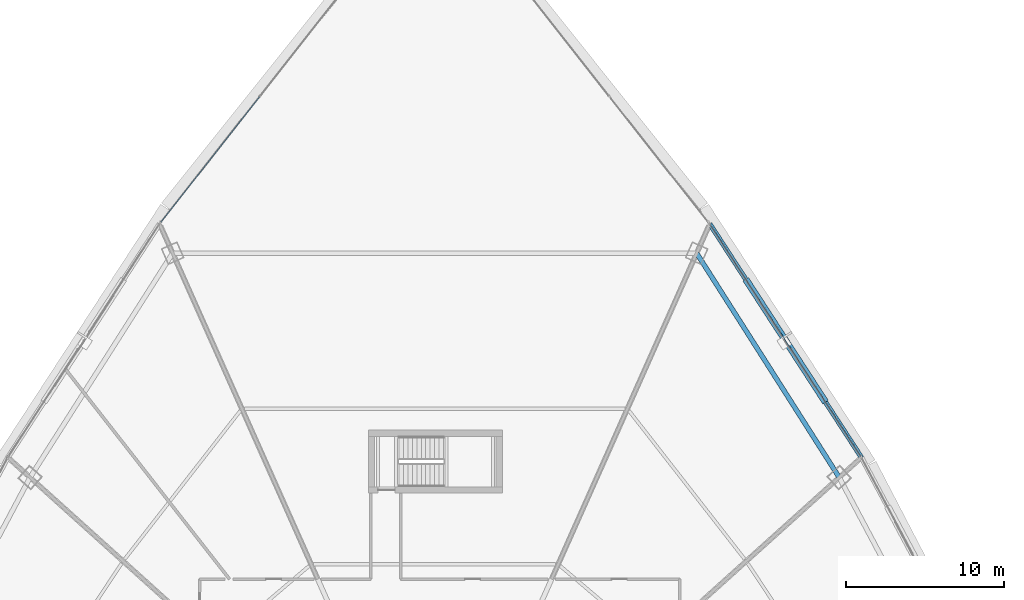
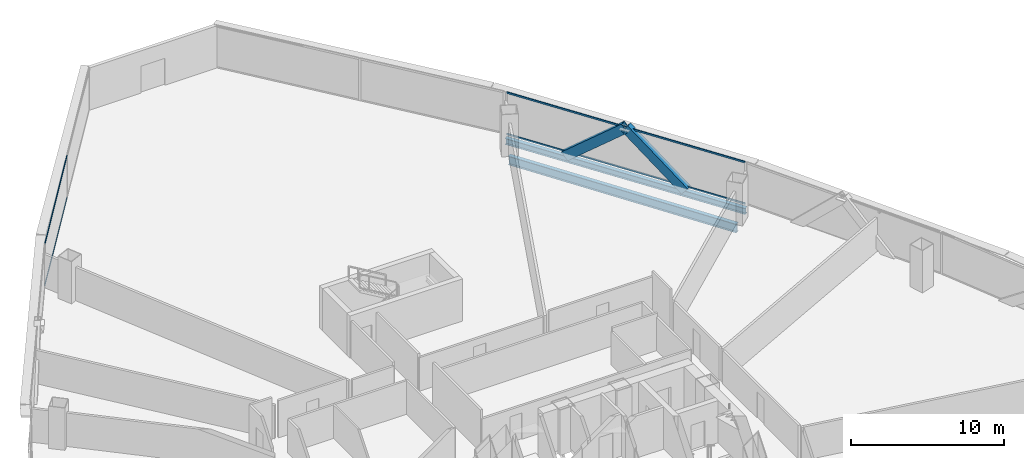
# One storey, part 24 of 38: 6 members, 2 beams, 2 elements without a shape of their own.
"""IFC4 building model written with IfcOpenShell, lengths in metres."""

from ifc_helpers import new_model, si_unit, direction, frame, origin, origin_2d, place, context, subcontext, project, spatial, hollow_rectangle, i_section, extrude, source, transform, mapped, material, layer, layer_set, material_profile, profile_set, type_object, element, aggregate, save


model = new_model("IFC4")

# Units and contexts
model_context = context("Model", 3, precision=1e-05, world=origin(), true_north=direction((0.0, 1.0)))
body_context = subcontext(model_context, "Body", "Model", "MODEL_VIEW")
ifc_project = project(units=[si_unit("LENGTHUNIT", "METRE"), si_unit("AREAUNIT", "SQUARE_METRE"), si_unit("VOLUMEUNIT", "CUBIC_METRE"), si_unit("PLANEANGLEUNIT", "RADIAN"), si_unit("MASSUNIT", "GRAM", prefix="KILO"), si_unit("THERMODYNAMICTEMPERATUREUNIT", "KELVIN"), si_unit("POWERUNIT", "WATT")], contexts=[model_context])

# Site, building, storey
site_placement = place(None, origin())
site = spatial("IfcSite", under=ifc_project, at=site_placement, CompositionType="ELEMENT")
building_placement = place(site_placement, origin())
building = spatial("IfcBuilding", under=site, at=building_placement, Name="Yunzhuo Pagoda Commons", CompositionType="ELEMENT")
storey_placement = place(building_placement, frame((0.0, 0.0, 37.659912109375)))
storey = spatial("IfcBuildingStorey", under=building, at=storey_placement, Name="L09", CompositionType="ELEMENT", Elevation=37.659912109375)

# Beams
ifc_material_1 = material(Name="Structural steel Q355B", Category="steel")
ifc_material_profile_1 = material_profile(ifc_material_1, i_section(OverallWidth=0.300048828125, OverallDepth=0.699951171875, WebThickness=0.012939453125, FlangeThickness=0.02392578125, at=origin_2d()), Name="Structural steel Q355B")
ifc_profile_set_1 = profile_set([ifc_material_profile_1], Name="Structural steel Q355B")
beam_type_1 = type_object("IfcBeamType", Name="B-RG1 Beam HN 700x300x13x24", PredefinedType="BEAM", material=ifc_profile_set_1)
shared_shape_1 = source(origin(), body_context, "Body", "SweptSolid", [
    extrude(i_section(OverallWidth=0.300048828125, OverallDepth=0.699951171875, WebThickness=0.012939453125, FlangeThickness=0.02392578125, at=origin_2d()), origin(), (0.0, 0.0, 1.0), 16.843994140625),
])
beam_1_placement = place(storey_placement, frame((73.648681640625, 56.79443359375, -0.60986328125), z_axis=(-0.536558458992, 0.843863152462, 0.0), x_axis=(-0.843863152462, -0.536558458992, 0.0)))
element("IfcBeam", 1, at=beam_1_placement, inside=storey, type_object=beam_type_1, Name="L09 column-ring beam 7", PredefinedType="BEAM", context=body_context, shape_type="MappedRepresentation", body=[
    mapped(shared_shape_1, transform((0.0, 0.0, 0.0), scale=1.0)),
])
ifc_material_profile_2 = material_profile(ifc_material_1, i_section(OverallWidth=0.300048828125, OverallDepth=0.488037109375, WebThickness=0.010986328125, FlangeThickness=0.01806640625, at=origin_2d()), Name="Structural steel Q355B")
ifc_profile_set_2 = profile_set([ifc_material_profile_2], Name="Structural steel Q355B")
beam_type_2 = type_object("IfcBeamType", Name="B-SP1 Beam HM 488x300x11x18", PredefinedType="BEAM", material=ifc_profile_set_2)
shared_shape_2 = source(origin(), body_context, "Body", "SweptSolid", [
    extrude(i_section(OverallWidth=0.300048828125, OverallDepth=0.488037109375, WebThickness=0.010986328125, FlangeThickness=0.01806640625, at=origin_2d()), origin(), (0.0, 0.0, 1.0), 17.656494140625),
])
beam_2_placement = place(storey_placement, frame((75.056640625, 58.061767578125, -0.50390625), z_axis=(-0.544679207435, 0.838644478303, 0.0), x_axis=(-0.838644478303, -0.544679207435, 0.0)))
element("IfcBeam", 2, at=beam_2_placement, inside=storey, type_object=beam_type_2, Name="L09 facade edge spandrel beam F2.3", PredefinedType="BEAM", context=body_context, shape_type="MappedRepresentation", body=[
    mapped(shared_shape_2, transform((0.0, 0.0, 0.0), scale=1.0)),
])

# Members
ifc_material_2 = material(Name="Structural steel Q420B", Category="steel")
ifc_material_profile_3 = material_profile(ifc_material_2, hollow_rectangle(XDim=0.419921875, YDim=0.719970703125, WallThickness=0.028076171875, at=origin_2d()), Name="Structural steel Q420B")
ifc_profile_set_3 = profile_set([ifc_material_profile_3], Name="Structural steel Q420B")
member_type_1 = type_object("IfcMemberType", Name="M-DL1 Brace BOX 720x420x28", PredefinedType="BRACE", material=ifc_profile_set_3)
shared_shape_3 = source(origin(), body_context, "Body", "SweptSolid", [
    extrude(hollow_rectangle(XDim=0.419921875, YDim=0.719970703125, WallThickness=0.028076171875, at=origin_2d()), origin(), (0.0, 0.0, 1.0), 5.71533203125),
])
member_1_placement = place(storey_placement, frame((67.843505859375, 69.167724609375, -0.260009765625), z_axis=(0.420679123782, -0.647763833573, 0.635162255434), x_axis=(0.838660885868, 0.544653943816, 0.0)))
element("IfcMember", 3, at=member_1_placement, inside=storey, type_object=member_type_1, Name="L09 facade diamond brace F2.3R", PredefinedType="BRACE", context=body_context, shape_type="MappedRepresentation", body=[
    mapped(shared_shape_3, transform((0.0, 0.0, 0.0), scale=1.0)),
])
shared_shape_4 = source(origin(), body_context, "Body", "SweptSolid", [
    extrude(hollow_rectangle(XDim=0.419921875, YDim=0.719970703125, WallThickness=0.028076171875, at=origin_2d()), origin(), (0.0, 0.0, 1.0), 5.715087890625),
])
member_2_placement = place(storey_placement, frame((72.652099609375, 61.763671875, -0.260009765625), z_axis=(-0.420690764353, 0.647739039387, 0.635179830947), x_axis=(-0.838644478303, -0.544679207435, 0.0)))
element("IfcMember", 4, at=member_2_placement, inside=storey, type_object=member_type_1, Name="L09 facade diamond brace F2.3L", PredefinedType="BRACE", context=body_context, shape_type="MappedRepresentation", body=[
    mapped(shared_shape_4, transform((0.0, 0.0, 0.0), scale=1.0)),
])

# Curtain wall, members
ifc_material_3 = material(Name="Anodized aluminium 6063-T6", Category="aluminium")
ifc_layer = layer(ifc_material_3, 0.1650390625)
ifc_layer_set = layer_set([ifc_layer], Name="Anodized aluminium 6063-T6")
curtain_wall_type = type_object("IfcCurtainWallType", Name="CW-LOW Low-Zone Ribbon Curtain Wall", PredefinedType="NOTDEFINED", material=ifc_layer_set)
curtain_wall_1_placement = place(storey_placement, origin())
curtain_wall_1 = element("IfcCurtainWall", 5, at=curtain_wall_1_placement, inside=storey, type_object=curtain_wall_type, Name="L09 curtain wall CW-L09-F2B4", PredefinedType="NOTDEFINED")
ifc_material_profile_4 = material_profile(ifc_material_3, hollow_rectangle(XDim=0.06005859375, YDim=0.139892578125, WallThickness=0.00341796875, at=origin_2d()), Name="Anodized aluminium 6063-T6")
ifc_profile_set_4 = profile_set([ifc_material_profile_4], Name="Anodized aluminium 6063-T6")
member_type_2 = type_object("IfcMemberType", Name="CW-LOW-T Transom RHS 140x60x3.5", PredefinedType="USERDEFINED", material=ifc_profile_set_4)
shared_shape_5 = source(origin(), body_context, "Body", "SweptSolid", [
    extrude(hollow_rectangle(XDim=0.06005859375, YDim=0.139892578125, WallThickness=0.00341796875, at=origin_2d()), origin(), (0.0, 0.0, 1.0), 17.5263671875),
])
member_3_placement = place(storey_placement, frame((75.02099609375, 58.1162109375, 0.030029296875), z_axis=(-0.544656342165, 0.838659328297, 0.0), x_axis=(-0.838659328297, -0.544656342165, 0.0)))
member_3 = element("IfcMember", 6, at=member_3_placement, type_object=member_type_2, Name="CW transom 1.1", ObjectType="TRANSOM", PredefinedType="USERDEFINED", context=body_context, shape_type="MappedRepresentation", body=[
    mapped(shared_shape_5, transform((0.0, 0.0, 0.0), scale=1.0)),
])
member_4_placement = place(storey_placement, frame((75.02099609375, 58.1162109375, 3.340087890625), z_axis=(-0.544656342165, 0.838659328297, 0.0), x_axis=(-0.838659328297, -0.544656342165, 0.0)))
member_4 = element("IfcMember", 7, at=member_4_placement, type_object=member_type_2, Name="CW transom 1.2", ObjectType="TRANSOM", PredefinedType="USERDEFINED", context=body_context, shape_type="MappedRepresentation", body=[
    mapped(shared_shape_5, transform((0.0, 0.0, 0.0), scale=1.0)),
])
aggregate(curtain_wall_1, [member_3, member_4])

curtain_wall_2_placement = place(storey_placement, origin())
curtain_wall_2 = element("IfcCurtainWall", 8, at=curtain_wall_2_placement, inside=storey, type_object=curtain_wall_type, Name="L09 curtain wall CW-L09-F3B1", PredefinedType="NOTDEFINED")
shared_shape_6 = source(origin(), body_context, "Body", "SweptSolid", [
    extrude(hollow_rectangle(XDim=0.06005859375, YDim=0.139892578125, WallThickness=0.00341796875, at=origin_2d()), origin(), (0.0, 0.0, 1.0), 10.116455078125),
])
member_5_placement = place(storey_placement, frame((36.904052734375, 80.928955078125, 0.030029296875), z_axis=(-0.618483204392, -0.785798018504, 0.0), x_axis=(0.785798018504, -0.618483204392, 0.0)))
member_5 = element("IfcMember", 9, at=member_5_placement, type_object=member_type_2, Name="CW transom 2.1", ObjectType="TRANSOM", PredefinedType="USERDEFINED", context=body_context, shape_type="MappedRepresentation", body=[
    mapped(shared_shape_6, transform((0.0, 0.0, 0.0), scale=1.0)),
])
member_6_placement = place(storey_placement, frame((36.904052734375, 80.928955078125, 3.340087890625), z_axis=(-0.618483204392, -0.785798018504, 0.0), x_axis=(0.785798018504, -0.618483204392, 0.0)))
member_6 = element("IfcMember", 10, at=member_6_placement, type_object=member_type_2, Name="CW transom 2.2", ObjectType="TRANSOM", PredefinedType="USERDEFINED", context=body_context, shape_type="MappedRepresentation", body=[
    mapped(shared_shape_6, transform((0.0, 0.0, 0.0), scale=1.0)),
])
aggregate(curtain_wall_2, [member_5, member_6])

save(model, "model.ifc")
